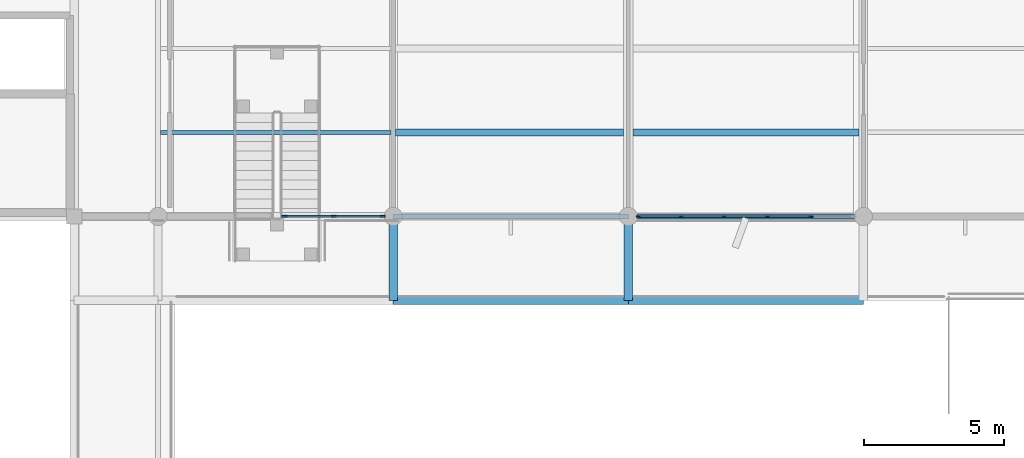
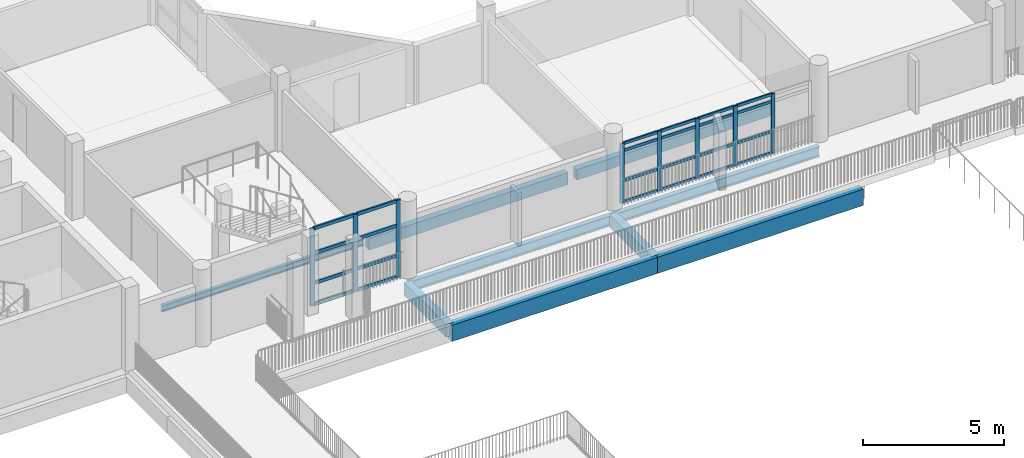
# One storey, part 5 of 51: 32 members, 9 beams, 2 elements without a shape of their own.
"""IFC4 building model written with IfcOpenShell, lengths in metres."""

from ifc_helpers import new_model, si_unit, direction, frame, origin, origin_2d, place, context, subcontext, project, spatial, rectangle, i_section, extrude, material, material_profile, profile_set, type_object, element, aggregate, save


model = new_model("IFC4")

# Units and contexts
model_context = context("Model", 3, precision=1e-05, world=origin(), true_north=direction((0.0, 1.0)))
body_context = subcontext(model_context, "Body", "Model", "MODEL_VIEW")
ifc_project = project(units=[si_unit("LENGTHUNIT", "METRE"), si_unit("AREAUNIT", "SQUARE_METRE"), si_unit("VOLUMEUNIT", "CUBIC_METRE"), si_unit("PLANEANGLEUNIT", "RADIAN"), si_unit("MASSUNIT", "GRAM", prefix="KILO")], contexts=[model_context])

# Site, building, storey
site_placement = place(None, origin())
site = spatial("IfcSite", under=ifc_project, at=site_placement, CompositionType="ELEMENT")
building_placement = place(site_placement, origin())
building = spatial("IfcBuilding", under=site, at=building_placement, Name="Vanh Quang Courtyard School", CompositionType="ELEMENT")
storey_placement = place(building_placement, frame((0.0, 0.0, 11.39990234375)))
storey = spatial("IfcBuildingStorey", under=building, at=storey_placement, Name="L03", CompositionType="ELEMENT", Elevation=11.39990234375)

# Beams
ifc_material_1 = material(Name="Concrete C35/45", Category="concrete")
ifc_material_profile_1 = material_profile(ifc_material_1, rectangle(XDim=0.300048828125, YDim=0.550048828125, at=origin_2d()), Name="RC-BM 300x550")
ifc_profile_set_1 = profile_set([ifc_material_profile_1], Name="Concrete C35/45")
beam_type_1 = type_object("IfcBeamType", Name="BM-RC-300x550", PredefinedType="BEAM", material=ifc_profile_set_1)
for number, where, z_axis, x_axis, name in (
    (1, (85.800048828125, 29.39990234375, -0.594970703125), (0.0, 1.0, 0.0), (-1.0, 0.0, 0.0), "Beam B-07 (L03)"),
    (2, (94.199951171875, 29.39990234375, -0.594970703125), (0.0, 1.0, 0.0), (-1.0, 0.0, 0.0), "Beam B-07 (L03)"),
):
    element("IfcBeam", number, at=place(storey_placement, frame(where, z_axis=z_axis, x_axis=x_axis)), inside=storey, type_object=beam_type_1, Name=name, PredefinedType="BEAM", context=body_context, shape_type="SweptSolid", body=[
        extrude(rectangle(XDim=0.300048828125, YDim=0.550048828125, at=origin_2d()), origin(), (0.0, 0.0, 1.0), 3.0),
    ])
ifc_material_profile_2 = material_profile(ifc_material_1, rectangle(XDim=0.300048828125, YDim=0.699951171875, at=origin_2d()), Name="RC-SP 300x700")
ifc_profile_set_2 = profile_set([ifc_material_profile_2], Name="Concrete C35/45")
beam_type_2 = type_object("IfcBeamType", Name="BM-SP-300x700", PredefinedType="SPANDREL", material=ifc_profile_set_2)
beam_1_placement = place(storey_placement, frame((85.800048828125, 29.39990234375, -0.669921875), z_axis=(1.0, 0.0, 0.0), x_axis=(0.0, 1.0, 0.0)))
element("IfcBeam", 3, at=beam_1_placement, inside=storey, type_object=beam_type_2, Name="Beam BS-01 (L03)", PredefinedType="SPANDREL", context=body_context, shape_type="SweptSolid", body=[
    extrude(rectangle(XDim=0.300048828125, YDim=0.699951171875, at=origin_2d()), origin(), (0.0, 0.0, 1.0), 8.39990234375),
])
beam_2_placement = place(storey_placement, frame((94.199951171875, 29.39990234375, -0.669921875), z_axis=(1.0, 0.0, 0.0), x_axis=(0.0, 1.0, 0.0)))
element("IfcBeam", 4, at=beam_2_placement, inside=storey, type_object=beam_type_2, Name="Beam BS-01 (L03)", PredefinedType="SPANDREL", context=body_context, shape_type="SweptSolid", body=[
    extrude(rectangle(XDim=0.300048828125, YDim=0.699951171875, at=origin_2d()), origin(), (0.0, 0.0, 1.0), 8.400146484375),
])
ifc_material_2 = material(Name="Structural steel EN 10025-2 S355J2", Category="steel")
ifc_material_profile_3 = material_profile(ifc_material_2, i_section(OverallWidth=0.18994140625, OverallDepth=0.449951171875, WebThickness=0.009521484375, FlangeThickness=0.0146484375, FilletRadius=0.02099609375, at=origin_2d()), Name="IPE 450")
ifc_profile_set_3 = profile_set([ifc_material_profile_3], Name="Structural steel EN 10025-2 S355J2")
beam_type_3 = type_object("IfcBeamType", Name="BM-STL-IPE450", PredefinedType="BEAM", material=ifc_profile_set_3)
beam_3_placement = place(storey_placement, frame((85.800048828125, 32.39990234375, -0.544921875), z_axis=(1.0, 0.0, 0.0), x_axis=(0.0, 1.0, 0.0)))
element("IfcBeam", 5, at=beam_3_placement, inside=storey, type_object=beam_type_3, Name="Beam SB-04 (L03)", PredefinedType="BEAM", context=body_context, shape_type="SweptSolid", body=[
    extrude(i_section(OverallWidth=0.18994140625, OverallDepth=0.449951171875, WebThickness=0.009521484375, FlangeThickness=0.0146484375, FilletRadius=0.02099609375, at=origin_2d()), origin(), (0.0, 0.0, 1.0), 8.39990234375),
])
beam_4_placement = place(storey_placement, frame((94.199951171875, 32.39990234375, -0.544921875), z_axis=(1.0, 0.0, 0.0), x_axis=(0.0, 1.0, 0.0)))
element("IfcBeam", 6, at=beam_4_placement, inside=storey, type_object=beam_type_3, Name="Beam SB-04 (L03)", PredefinedType="BEAM", context=body_context, shape_type="SweptSolid", body=[
    extrude(i_section(OverallWidth=0.18994140625, OverallDepth=0.449951171875, WebThickness=0.009521484375, FlangeThickness=0.0146484375, FilletRadius=0.02099609375, at=origin_2d()), origin(), (0.0, 0.0, 1.0), 8.400146484375),
])

# Curtain wall, members
ifc_material_3 = material(Name="Thermally broken aluminium unitised curtain wall", Category="aluminium")
curtain_wall_type_1 = type_object("IfcCurtainWallType", Name="CW-SYS-21", PredefinedType="NOTDEFINED", material=ifc_material_3)
curtain_wall_1_placement = place(storey_placement, origin())
curtain_wall_1 = element("IfcCurtainWall", 7, at=curtain_wall_1_placement, inside=storey, type_object=curtain_wall_type_1, Name="Curtain Wall CW-21 (L03)", PredefinedType="NOTDEFINED")
ifc_material_4 = material(Name="Anodised aluminium 6063-T6", Category="aluminium")
ifc_material_profile_4 = material_profile(ifc_material_4, rectangle(XDim=0.06005859375, YDim=0.159912109375, at=origin_2d()), Name="ALU-MUL 60x160")
ifc_profile_set_4 = profile_set([ifc_material_profile_4], Name="Anodised aluminium 6063-T6")
member_type_1 = type_object("IfcMemberType", Name="CW-MUL-60x160", PredefinedType="MULLION", material=ifc_profile_set_4)
member_1_placement = place(storey_placement, frame((100.72021484375, 32.39990234375, 0.0), z_axis=(0.0, 0.0, 1.0), x_axis=(0.0, -1.0, 0.0)))
member_1 = element("IfcMember", 8, at=member_1_placement, type_object=member_type_1, Name="CW-21 mullion 2", PredefinedType="MULLION", context=body_context, shape_type="SweptSolid", body=[
    extrude(rectangle(XDim=0.06005859375, YDim=0.159912109375, at=origin_2d()), origin(), (0.0, 0.0, 1.0), 2.580078125),
])
member_2_placement = place(storey_placement, frame((99.17333984375, 32.39990234375, 0.0), z_axis=(0.0, 0.0, 1.0), x_axis=(0.0, -1.0, 0.0)))
member_2 = element("IfcMember", 9, at=member_2_placement, type_object=member_type_1, Name="CW-21 mullion 3", PredefinedType="MULLION", context=body_context, shape_type="SweptSolid", body=[
    extrude(rectangle(XDim=0.06005859375, YDim=0.159912109375, at=origin_2d()), origin(), (0.0, 0.0, 1.0), 2.580078125),
])
member_3_placement = place(storey_placement, frame((97.626708984375, 32.39990234375, 0.0), z_axis=(0.0, 0.0, 1.0), x_axis=(0.0, -1.0, 0.0)))
member_3 = element("IfcMember", 10, at=member_3_placement, type_object=member_type_1, Name="CW-21 mullion 4", PredefinedType="MULLION", context=body_context, shape_type="SweptSolid", body=[
    extrude(rectangle(XDim=0.06005859375, YDim=0.159912109375, at=origin_2d()), origin(), (0.0, 0.0, 1.0), 2.580078125),
])
member_4_placement = place(storey_placement, frame((96.079833984375, 32.39990234375, 0.0), z_axis=(0.0, 0.0, 1.0), x_axis=(0.0, -1.0, 0.0)))
member_4 = element("IfcMember", 11, at=member_4_placement, type_object=member_type_1, Name="CW-21 mullion 5", PredefinedType="MULLION", context=body_context, shape_type="SweptSolid", body=[
    extrude(rectangle(XDim=0.06005859375, YDim=0.159912109375, at=origin_2d()), origin(), (0.0, 0.0, 1.0), 2.580078125),
])
member_5_placement = place(storey_placement, frame((94.56298828125, 32.39990234375, 0.0), z_axis=(0.0, 0.0, 1.0), x_axis=(0.0, -1.0, 0.0)))
member_5 = element("IfcMember", 12, at=member_5_placement, type_object=member_type_1, Name="CW-21 mullion 6", PredefinedType="MULLION", context=body_context, shape_type="SweptSolid", body=[
    extrude(rectangle(XDim=0.06005859375, YDim=0.159912109375, at=origin_2d()), origin(), (0.0, 0.0, 1.0), 2.580078125),
])

curtain_wall_type_2 = type_object("IfcCurtainWallType", Name="CW-SYS-61", PredefinedType="NOTDEFINED", material=ifc_material_3)
curtain_wall_2_placement = place(storey_placement, origin())
curtain_wall_2 = element("IfcCurtainWall", 13, at=curtain_wall_2_placement, inside=storey, type_object=curtain_wall_type_2, Name="Curtain Wall CW-61 (L03)", PredefinedType="NOTDEFINED")
ifc_material_profile_5 = material_profile(ifc_material_4, rectangle(XDim=0.070068359375, YDim=0.179931640625, at=origin_2d()), Name="ALU-MUL 70x180")
ifc_profile_set_5 = profile_set([ifc_material_profile_5], Name="Anodised aluminium 6063-T6")
member_type_2 = type_object("IfcMemberType", Name="CW-MUL-70x180", PredefinedType="MULLION", material=ifc_profile_set_5)
member_6_placement = place(storey_placement, frame((85.431884765625, 32.39990234375, 0.0), z_axis=(0.0, 0.0, 1.0), x_axis=(0.0, -1.0, 0.0)))
member_6 = element("IfcMember", 14, at=member_6_placement, type_object=member_type_2, Name="CW-61 mullion 1", PredefinedType="MULLION", context=body_context, shape_type="SweptSolid", body=[
    extrude(rectangle(XDim=0.070068359375, YDim=0.179931640625, at=origin_2d()), origin(), (0.0, 0.0, 1.0), 3.340087890625),
])
member_7_placement = place(storey_placement, frame((83.675048828125, 32.39990234375, 0.0), z_axis=(0.0, 0.0, 1.0), x_axis=(0.0, -1.0, 0.0)))
member_7 = element("IfcMember", 15, at=member_7_placement, type_object=member_type_2, Name="CW-61 mullion 2", PredefinedType="MULLION", context=body_context, shape_type="SweptSolid", body=[
    extrude(rectangle(XDim=0.070068359375, YDim=0.179931640625, at=origin_2d()), origin(), (0.0, 0.0, 1.0), 3.340087890625),
])
member_8_placement = place(storey_placement, frame((81.91796875, 32.39990234375, 0.0), z_axis=(0.0, 0.0, 1.0), x_axis=(0.0, -1.0, 0.0)))
member_8 = element("IfcMember", 16, at=member_8_placement, type_object=member_type_2, Name="CW-61 mullion 3", PredefinedType="MULLION", context=body_context, shape_type="SweptSolid", body=[
    extrude(rectangle(XDim=0.070068359375, YDim=0.179931640625, at=origin_2d()), origin(), (0.0, 0.0, 1.0), 3.340087890625),
])

# Member
ifc_material_profile_6 = material_profile(ifc_material_4, rectangle(XDim=0.06005859375, YDim=0.1201171875, at=origin_2d()), Name="ALU-TRN 60x120")
ifc_profile_set_6 = profile_set([ifc_material_profile_6], Name="Anodised aluminium 6063-T6")
member_type_3 = type_object("IfcMemberType", Name="CW-TRN-60x120", PredefinedType="USERDEFINED", material=ifc_profile_set_6)
member_9_placement = place(storey_placement, frame((100.690185546875, 32.39990234375, 0.030029296875), z_axis=(-1.0, 0.0, 0.0), x_axis=(0.0, -1.0, 0.0)))
member_9 = element("IfcMember", 17, at=member_9_placement, type_object=member_type_3, Name="CW-21 transom 2.1", ObjectType="TRANSOM", PredefinedType="USERDEFINED", context=body_context, shape_type="SweptSolid", body=[
    extrude(rectangle(XDim=0.06005859375, YDim=0.1201171875, at=origin_2d()), origin(), (0.0, 0.0, 1.0), 1.48681640625),
])

member_10_placement = place(storey_placement, frame((100.690185546875, 32.39990234375, 0.9501953125), z_axis=(-1.0, 0.0, 0.0), x_axis=(0.0, -1.0, 0.0)))
member_10 = element("IfcMember", 18, at=member_10_placement, type_object=member_type_3, Name="CW-21 transom 2.2", ObjectType="TRANSOM", PredefinedType="USERDEFINED", context=body_context, shape_type="SweptSolid", body=[
    extrude(rectangle(XDim=0.06005859375, YDim=0.1201171875, at=origin_2d()), origin(), (0.0, 0.0, 1.0), 1.48681640625),
])

member_11_placement = place(storey_placement, frame((100.690185546875, 32.39990234375, 2.25), z_axis=(-1.0, 0.0, 0.0), x_axis=(0.0, -1.0, 0.0)))
member_11 = element("IfcMember", 19, at=member_11_placement, type_object=member_type_3, Name="CW-21 transom 2.3", ObjectType="TRANSOM", PredefinedType="USERDEFINED", context=body_context, shape_type="SweptSolid", body=[
    extrude(rectangle(XDim=0.06005859375, YDim=0.1201171875, at=origin_2d()), origin(), (0.0, 0.0, 1.0), 1.48681640625),
])

member_12_placement = place(storey_placement, frame((100.690185546875, 32.39990234375, 2.550048828125), z_axis=(-1.0, 0.0, 0.0), x_axis=(0.0, -1.0, 0.0)))
member_12 = element("IfcMember", 20, at=member_12_placement, type_object=member_type_3, Name="CW-21 transom 2.4", ObjectType="TRANSOM", PredefinedType="USERDEFINED", context=body_context, shape_type="SweptSolid", body=[
    extrude(rectangle(XDim=0.06005859375, YDim=0.1201171875, at=origin_2d()), origin(), (0.0, 0.0, 1.0), 1.48681640625),
])

member_13_placement = place(storey_placement, frame((99.143310546875, 32.39990234375, 0.030029296875), z_axis=(-1.0, 0.0, 0.0), x_axis=(0.0, -1.0, 0.0)))
member_13 = element("IfcMember", 21, at=member_13_placement, type_object=member_type_3, Name="CW-21 transom 3.1", ObjectType="TRANSOM", PredefinedType="USERDEFINED", context=body_context, shape_type="SweptSolid", body=[
    extrude(rectangle(XDim=0.06005859375, YDim=0.1201171875, at=origin_2d()), origin(), (0.0, 0.0, 1.0), 1.48681640625),
])

member_14_placement = place(storey_placement, frame((99.143310546875, 32.39990234375, 0.9501953125), z_axis=(-1.0, 0.0, 0.0), x_axis=(0.0, -1.0, 0.0)))
member_14 = element("IfcMember", 22, at=member_14_placement, type_object=member_type_3, Name="CW-21 transom 3.2", ObjectType="TRANSOM", PredefinedType="USERDEFINED", context=body_context, shape_type="SweptSolid", body=[
    extrude(rectangle(XDim=0.06005859375, YDim=0.1201171875, at=origin_2d()), origin(), (0.0, 0.0, 1.0), 1.48681640625),
])

member_15_placement = place(storey_placement, frame((99.143310546875, 32.39990234375, 2.25), z_axis=(-1.0, 0.0, 0.0), x_axis=(0.0, -1.0, 0.0)))
member_15 = element("IfcMember", 23, at=member_15_placement, type_object=member_type_3, Name="CW-21 transom 3.3", ObjectType="TRANSOM", PredefinedType="USERDEFINED", context=body_context, shape_type="SweptSolid", body=[
    extrude(rectangle(XDim=0.06005859375, YDim=0.1201171875, at=origin_2d()), origin(), (0.0, 0.0, 1.0), 1.48681640625),
])

member_16_placement = place(storey_placement, frame((99.143310546875, 32.39990234375, 2.550048828125), z_axis=(-1.0, 0.0, 0.0), x_axis=(0.0, -1.0, 0.0)))
member_16 = element("IfcMember", 24, at=member_16_placement, type_object=member_type_3, Name="CW-21 transom 3.4", ObjectType="TRANSOM", PredefinedType="USERDEFINED", context=body_context, shape_type="SweptSolid", body=[
    extrude(rectangle(XDim=0.06005859375, YDim=0.1201171875, at=origin_2d()), origin(), (0.0, 0.0, 1.0), 1.48681640625),
])

member_17_placement = place(storey_placement, frame((97.5966796875, 32.39990234375, 0.030029296875), z_axis=(-1.0, 0.0, 0.0), x_axis=(0.0, -1.0, 0.0)))
member_17 = element("IfcMember", 25, at=member_17_placement, type_object=member_type_3, Name="CW-21 transom 4.1", ObjectType="TRANSOM", PredefinedType="USERDEFINED", context=body_context, shape_type="SweptSolid", body=[
    extrude(rectangle(XDim=0.06005859375, YDim=0.1201171875, at=origin_2d()), origin(), (0.0, 0.0, 1.0), 1.48681640625),
])

member_18_placement = place(storey_placement, frame((97.5966796875, 32.39990234375, 0.9501953125), z_axis=(-1.0, 0.0, 0.0), x_axis=(0.0, -1.0, 0.0)))
member_18 = element("IfcMember", 26, at=member_18_placement, type_object=member_type_3, Name="CW-21 transom 4.2", ObjectType="TRANSOM", PredefinedType="USERDEFINED", context=body_context, shape_type="SweptSolid", body=[
    extrude(rectangle(XDim=0.06005859375, YDim=0.1201171875, at=origin_2d()), origin(), (0.0, 0.0, 1.0), 1.48681640625),
])

member_19_placement = place(storey_placement, frame((97.5966796875, 32.39990234375, 2.25), z_axis=(-1.0, 0.0, 0.0), x_axis=(0.0, -1.0, 0.0)))
member_19 = element("IfcMember", 27, at=member_19_placement, type_object=member_type_3, Name="CW-21 transom 4.3", ObjectType="TRANSOM", PredefinedType="USERDEFINED", context=body_context, shape_type="SweptSolid", body=[
    extrude(rectangle(XDim=0.06005859375, YDim=0.1201171875, at=origin_2d()), origin(), (0.0, 0.0, 1.0), 1.48681640625),
])

member_20_placement = place(storey_placement, frame((97.5966796875, 32.39990234375, 2.550048828125), z_axis=(-1.0, 0.0, 0.0), x_axis=(0.0, -1.0, 0.0)))
member_20 = element("IfcMember", 28, at=member_20_placement, type_object=member_type_3, Name="CW-21 transom 4.4", ObjectType="TRANSOM", PredefinedType="USERDEFINED", context=body_context, shape_type="SweptSolid", body=[
    extrude(rectangle(XDim=0.06005859375, YDim=0.1201171875, at=origin_2d()), origin(), (0.0, 0.0, 1.0), 1.48681640625),
])

member_21_placement = place(storey_placement, frame((96.0498046875, 32.39990234375, 0.030029296875), z_axis=(-1.0, 0.0, 0.0), x_axis=(0.0, -1.0, 0.0)))
member_21 = element("IfcMember", 29, at=member_21_placement, type_object=member_type_3, Name="CW-21 transom 5.1", ObjectType="TRANSOM", PredefinedType="USERDEFINED", context=body_context, shape_type="SweptSolid", body=[
    extrude(rectangle(XDim=0.06005859375, YDim=0.1201171875, at=origin_2d()), origin(), (0.0, 0.0, 1.0), 1.456787109375),
])

member_22_placement = place(storey_placement, frame((96.0498046875, 32.39990234375, 0.9501953125), z_axis=(-1.0, 0.0, 0.0), x_axis=(0.0, -1.0, 0.0)))
member_22 = element("IfcMember", 30, at=member_22_placement, type_object=member_type_3, Name="CW-21 transom 5.2", ObjectType="TRANSOM", PredefinedType="USERDEFINED", context=body_context, shape_type="SweptSolid", body=[
    extrude(rectangle(XDim=0.06005859375, YDim=0.1201171875, at=origin_2d()), origin(), (0.0, 0.0, 1.0), 1.456787109375),
])

member_23_placement = place(storey_placement, frame((96.0498046875, 32.39990234375, 2.25), z_axis=(-1.0, 0.0, 0.0), x_axis=(0.0, -1.0, 0.0)))
member_23 = element("IfcMember", 31, at=member_23_placement, type_object=member_type_3, Name="CW-21 transom 5.3", ObjectType="TRANSOM", PredefinedType="USERDEFINED", context=body_context, shape_type="SweptSolid", body=[
    extrude(rectangle(XDim=0.06005859375, YDim=0.1201171875, at=origin_2d()), origin(), (0.0, 0.0, 1.0), 1.456787109375),
])

member_24_placement = place(storey_placement, frame((96.0498046875, 32.39990234375, 2.550048828125), z_axis=(-1.0, 0.0, 0.0), x_axis=(0.0, -1.0, 0.0)))
member_24 = element("IfcMember", 32, at=member_24_placement, type_object=member_type_3, Name="CW-21 transom 5.4", ObjectType="TRANSOM", PredefinedType="USERDEFINED", context=body_context, shape_type="SweptSolid", body=[
    extrude(rectangle(XDim=0.06005859375, YDim=0.1201171875, at=origin_2d()), origin(), (0.0, 0.0, 1.0), 1.456787109375),
])

aggregate(curtain_wall_1, [member_1, member_2, member_3, member_4, member_5, member_9, member_10, member_11, member_12, member_13, member_14, member_15, member_16, member_17, member_18, member_19, member_20, member_21, member_22, member_23, member_24])

ifc_material_profile_7 = material_profile(ifc_material_4, rectangle(XDim=0.070068359375, YDim=0.139892578125, at=origin_2d()), Name="ALU-TRN 70x140")
ifc_profile_set_7 = profile_set([ifc_material_profile_7], Name="Anodised aluminium 6063-T6")
member_type_4 = type_object("IfcMemberType", Name="CW-TRN-70x140", PredefinedType="USERDEFINED", material=ifc_profile_set_7)
member_25_placement = place(storey_placement, frame((85.39697265625, 32.39990234375, 0.03515625), z_axis=(-1.0, 0.0, 0.0), x_axis=(0.0, -1.0, 0.0)))
member_25 = element("IfcMember", 33, at=member_25_placement, type_object=member_type_4, Name="CW-61 transom 1.1", ObjectType="TRANSOM", PredefinedType="USERDEFINED", context=body_context, shape_type="SweptSolid", body=[
    extrude(rectangle(XDim=0.070068359375, YDim=0.139892578125, at=origin_2d()), origin(), (0.0, 0.0, 1.0), 1.68701171875),
])

member_26_placement = place(storey_placement, frame((85.39697265625, 32.39990234375, 0.9501953125), z_axis=(-1.0, 0.0, 0.0), x_axis=(0.0, -1.0, 0.0)))
member_26 = element("IfcMember", 34, at=member_26_placement, type_object=member_type_4, Name="CW-61 transom 1.2", ObjectType="TRANSOM", PredefinedType="USERDEFINED", context=body_context, shape_type="SweptSolid", body=[
    extrude(rectangle(XDim=0.070068359375, YDim=0.139892578125, at=origin_2d()), origin(), (0.0, 0.0, 1.0), 1.68701171875),
])

member_27_placement = place(storey_placement, frame((85.39697265625, 32.39990234375, 2.25), z_axis=(-1.0, 0.0, 0.0), x_axis=(0.0, -1.0, 0.0)))
member_27 = element("IfcMember", 35, at=member_27_placement, type_object=member_type_4, Name="CW-61 transom 1.3", ObjectType="TRANSOM", PredefinedType="USERDEFINED", context=body_context, shape_type="SweptSolid", body=[
    extrude(rectangle(XDim=0.070068359375, YDim=0.139892578125, at=origin_2d()), origin(), (0.0, 0.0, 1.0), 1.68701171875),
])

member_28_placement = place(storey_placement, frame((85.39697265625, 32.39990234375, 3.30517578125), z_axis=(-1.0, 0.0, 0.0), x_axis=(0.0, -1.0, 0.0)))
member_28 = element("IfcMember", 36, at=member_28_placement, type_object=member_type_4, Name="CW-61 transom 1.4", ObjectType="TRANSOM", PredefinedType="USERDEFINED", context=body_context, shape_type="SweptSolid", body=[
    extrude(rectangle(XDim=0.070068359375, YDim=0.139892578125, at=origin_2d()), origin(), (0.0, 0.0, 1.0), 1.68701171875),
])

member_29_placement = place(storey_placement, frame((83.639892578125, 32.39990234375, 0.03515625), z_axis=(-1.0, 0.0, 0.0), x_axis=(0.0, -1.0, 0.0)))
member_29 = element("IfcMember", 37, at=member_29_placement, type_object=member_type_4, Name="CW-61 transom 2.1", ObjectType="TRANSOM", PredefinedType="USERDEFINED", context=body_context, shape_type="SweptSolid", body=[
    extrude(rectangle(XDim=0.070068359375, YDim=0.139892578125, at=origin_2d()), origin(), (0.0, 0.0, 1.0), 1.68701171875),
])

member_30_placement = place(storey_placement, frame((83.639892578125, 32.39990234375, 0.9501953125), z_axis=(-1.0, 0.0, 0.0), x_axis=(0.0, -1.0, 0.0)))
member_30 = element("IfcMember", 38, at=member_30_placement, type_object=member_type_4, Name="CW-61 transom 2.2", ObjectType="TRANSOM", PredefinedType="USERDEFINED", context=body_context, shape_type="SweptSolid", body=[
    extrude(rectangle(XDim=0.070068359375, YDim=0.139892578125, at=origin_2d()), origin(), (0.0, 0.0, 1.0), 1.68701171875),
])

member_31_placement = place(storey_placement, frame((83.639892578125, 32.39990234375, 2.25), z_axis=(-1.0, 0.0, 0.0), x_axis=(0.0, -1.0, 0.0)))
member_31 = element("IfcMember", 39, at=member_31_placement, type_object=member_type_4, Name="CW-61 transom 2.3", ObjectType="TRANSOM", PredefinedType="USERDEFINED", context=body_context, shape_type="SweptSolid", body=[
    extrude(rectangle(XDim=0.070068359375, YDim=0.139892578125, at=origin_2d()), origin(), (0.0, 0.0, 1.0), 1.68701171875),
])

member_32_placement = place(storey_placement, frame((83.639892578125, 32.39990234375, 3.30517578125), z_axis=(-1.0, 0.0, 0.0), x_axis=(0.0, -1.0, 0.0)))
member_32 = element("IfcMember", 40, at=member_32_placement, type_object=member_type_4, Name="CW-61 transom 2.4", ObjectType="TRANSOM", PredefinedType="USERDEFINED", context=body_context, shape_type="SweptSolid", body=[
    extrude(rectangle(XDim=0.070068359375, YDim=0.139892578125, at=origin_2d()), origin(), (0.0, 0.0, 1.0), 1.68701171875),
])

aggregate(curtain_wall_2, [member_6, member_7, member_8, member_25, member_26, member_27, member_28, member_29, member_30, member_31, member_32])

# Beams
ifc_material_5 = material(Name="Concrete C30/37", Category="concrete")
ifc_material_profile_8 = material_profile(ifc_material_5, rectangle(XDim=0.25, YDim=0.449951171875, at=origin_2d()), Name="RC-JST 250x450")
ifc_profile_set_8 = profile_set([ifc_material_profile_8], Name="Concrete C30/37")
beam_type_4 = type_object("IfcBeamType", Name="JST-RC-250x450", PredefinedType="JOIST", material=ifc_profile_set_8)
beam_5_placement = place(storey_placement, frame((94.375, 35.39990234375, -0.48486328125), z_axis=(1.0, 0.0, 0.0), x_axis=(0.0, 1.0, 0.0)))
element("IfcBeam", 41, at=beam_5_placement, inside=storey, type_object=beam_type_4, Name="Beam BJ-02 (L03)", PredefinedType="JOIST", context=body_context, shape_type="SweptSolid", body=[
    extrude(rectangle(XDim=0.25, YDim=0.449951171875, at=origin_2d()), origin(), (0.0, 0.0, 1.0), 8.074951171875),
])
ifc_material_profile_9 = material_profile(ifc_material_5, rectangle(XDim=0.25, YDim=0.5, at=origin_2d()), Name="RC-JST 250x500")
ifc_profile_set_9 = profile_set([ifc_material_profile_9], Name="Concrete C30/37")
beam_type_5 = type_object("IfcBeamType", Name="JST-RC-250x500", PredefinedType="JOIST", material=ifc_profile_set_9)
beam_6_placement = place(storey_placement, frame((85.885009765625, 35.39990234375, -0.510009765625), z_axis=(1.0, 0.0, 0.0), x_axis=(0.0, 1.0, 0.0)))
element("IfcBeam", 42, at=beam_6_placement, inside=storey, type_object=beam_type_5, Name="Beam BJ-01 (L03)", PredefinedType="JOIST", context=body_context, shape_type="SweptSolid", body=[
    extrude(rectangle(XDim=0.25, YDim=0.5, at=origin_2d()), origin(), (0.0, 0.0, 1.0), 8.139892578125),
])
ifc_material_profile_10 = material_profile(ifc_material_2, i_section(OverallWidth=0.135009765625, OverallDepth=0.27001953125, WebThickness=0.006591796875, FlangeThickness=0.01025390625, FilletRadius=0.014892578125, at=origin_2d()), Name="IPE 270")
ifc_profile_set_10 = profile_set([ifc_material_profile_10], Name="Structural steel EN 10025-2 S355J2")
beam_type_6 = type_object("IfcBeamType", Name="JST-STL-IPE270", PredefinedType="JOIST", material=ifc_profile_set_10)
beam_7_placement = place(storey_placement, frame((77.489990234375, 35.39990234375, -0.39501953125), z_axis=(1.0, 0.0, 0.0), x_axis=(0.0, 1.0, 0.0)))
element("IfcBeam", 43, at=beam_7_placement, inside=storey, type_object=beam_type_6, Name="Beam SJ-03 (L03)", PredefinedType="JOIST", context=body_context, shape_type="SweptSolid", body=[
    extrude(i_section(OverallWidth=0.135009765625, OverallDepth=0.27001953125, WebThickness=0.006591796875, FlangeThickness=0.01025390625, FilletRadius=0.014892578125, at=origin_2d()), origin(), (0.0, 0.0, 1.0), 8.22509765625),
])

save(model, "model.ifc")
